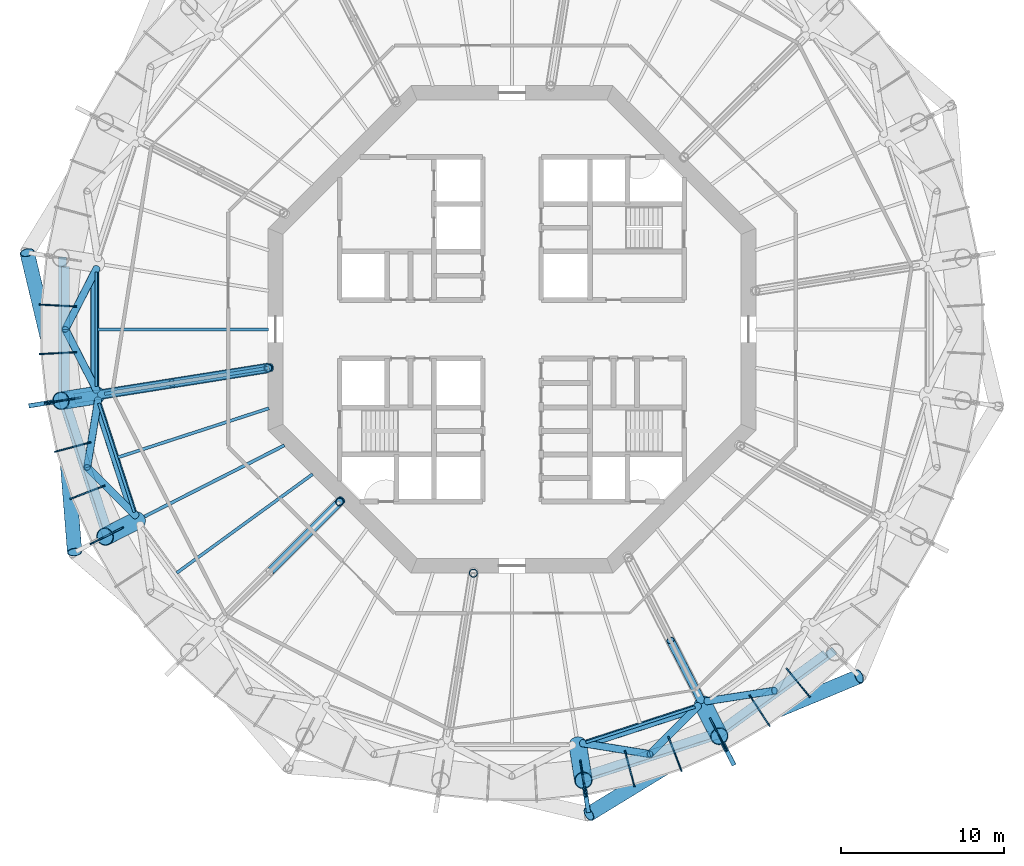
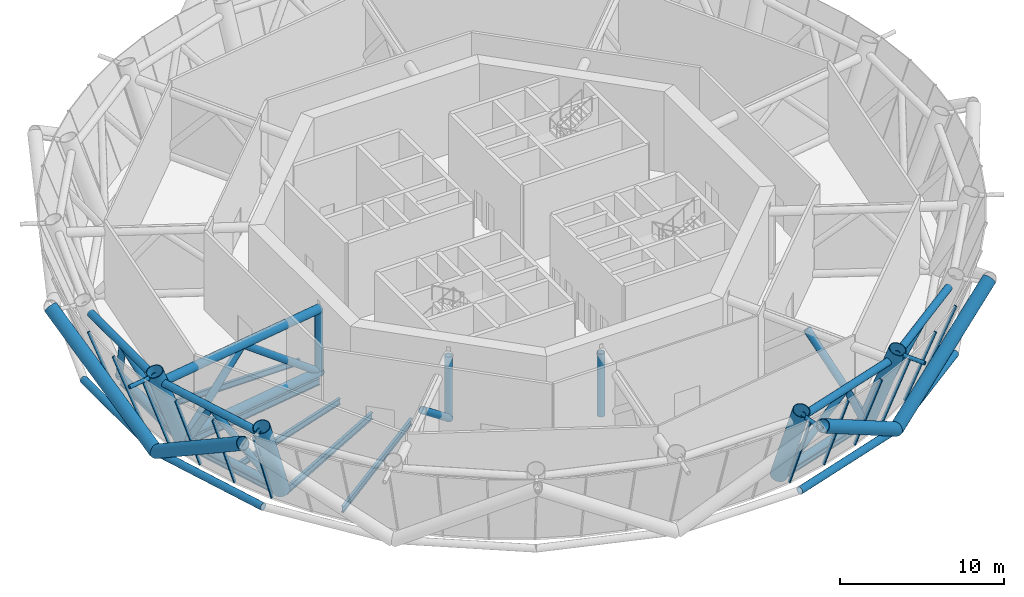
# One storey, part 2 of 15: 50 members, 8 beams, 5 elements without a shape of their own.
"""IFC4 building model written with IfcOpenShell, lengths in metres."""

from ifc_helpers import new_model, si_unit, direction, frame, origin, origin_2d, place, context, subcontext, project, spatial, rectangle, circle, hollow_circle, i_section, extrude, material, layer, layer_set, material_profile, profile_set, type_object, element, aggregate, save


model = new_model("IFC4")

# Units and contexts
model_context = context("Model", 3, precision=1e-05, world=origin(), true_north=direction((0.0, 1.0)))
body_context = subcontext(model_context, "Body", "Model", "MODEL_VIEW")
ifc_project = project(units=[si_unit("LENGTHUNIT", "METRE"), si_unit("AREAUNIT", "SQUARE_METRE"), si_unit("VOLUMEUNIT", "CUBIC_METRE"), si_unit("PLANEANGLEUNIT", "RADIAN"), si_unit("MASSUNIT", "GRAM", prefix="KILO")], contexts=[model_context])

# Site, building, storey
site_placement = place(None, origin())
site = spatial("IfcSite", under=ifc_project, at=site_placement, CompositionType="ELEMENT")
building_placement = place(site_placement, origin())
building = spatial("IfcBuilding", under=site, at=building_placement, Name="Entoto Ring Tower", CompositionType="ELEMENT")
storey_placement = place(building_placement, frame((0.0, 0.0, 268.0)))
storey = spatial("IfcBuildingStorey", under=building, at=storey_placement, Name="L61", CompositionType="ELEMENT", Elevation=268.0)

# Members
ifc_material_1 = material(Name="Steel S355", Category="steel")
ifc_material_profile_1 = material_profile(ifc_material_1, hollow_circle(Radius=0.449951171875, WallThickness=0.044921875, at=origin_2d()), Name="CHS 900 x 45")
ifc_material_2 = material(Name="Concrete C60/75", Category="concrete")
ifc_material_profile_2 = material_profile(ifc_material_2, circle(Radius=0.405029296875, at=origin_2d()), Name="Concrete C60/75 infill")
ifc_profile_set_1 = profile_set([ifc_material_profile_1, ifc_material_profile_2], Name="Steel S355")
member_type_1 = type_object("IfcMemberType", Name="Diagrid diagonal 900 x 45 concrete-filled tube", PredefinedType="BRACE", material=ifc_profile_set_1)
for number, where, z_axis, x_axis, name in (
    (1, (62.3447265625, 75.619873046875, 0.0), (-0.195432990063, 0.818886187126, 0.539658557728), (-0.972682939127, -0.232137674521, 0.0), "DG2 module 21 11"),
    (2, (62.3447265625, 75.619873046875, 0.0), (0.067171964206, -0.839199397204, 0.539659428675), (0.99681187731, 0.079787726213, 0.0), "DG2 module 21 12"),
):
    element("IfcMember", number, at=place(storey_placement, frame(where, z_axis=z_axis, x_axis=x_axis)), inside=storey, type_object=member_type_1, Name=name, PredefinedType="BRACE", context=body_context, shape_type="SweptSolid", body=[
        extrude(hollow_circle(Radius=0.449951171875, WallThickness=0.044921875, at=origin_2d()), origin(), (0.0, 0.0, 1.0), 11.1181640625),
    ])
member_1_placement = place(storey_placement, frame((102.711669921875, 55.0517578125, 0.0), z_axis=(-0.718410935775, -0.438916670262, 0.539664603179), x_axis=(0.521352941047, -0.853341145652, 0.0)))
element("IfcMember", 3, at=member_1_placement, inside=storey, type_object=member_type_1, Name="DG2 module 21 17", PredefinedType="BRACE", context=body_context, shape_type="SweptSolid", body=[
    extrude(hollow_circle(Radius=0.449951171875, WallThickness=0.044921875, at=origin_2d()), origin(), (0.0, 0.0, 1.0), 11.117919921875),
])
member_2_placement = place(storey_placement, frame((102.711669921875, 55.0517578125, 0.0), z_axis=(0.777375260078, 0.323207345717, 0.539652403584), x_axis=(-0.383907804078, 0.923371430123, 0.0)))
element("IfcMember", 4, at=member_2_placement, inside=storey, type_object=member_type_1, Name="DG2 module 21 18", PredefinedType="BRACE", context=body_context, shape_type="SweptSolid", body=[
    extrude(hollow_circle(Radius=0.449951171875, WallThickness=0.044921875, at=origin_2d()), origin(), (0.0, 0.0, 1.0), 11.1181640625),
])
ifc_material_3 = material(Name="Steel S355", Category="steel")
ifc_material_profile_3 = material_profile(ifc_material_3, hollow_circle(Radius=0.136474609375, WallThickness=0.012451171875, at=origin_2d()), Name="CHS 273 x 12.5")
ifc_material_4 = material(Name="Concrete C60/75", Category="concrete")
ifc_material_profile_4 = material_profile(ifc_material_4, circle(Radius=0.1240234375, at=origin_2d()), Name="Concrete C60/75 infill")
ifc_profile_set_2 = profile_set([ifc_material_profile_3, ifc_material_profile_4], Name="Steel S355")
member_type_2 = type_object("IfcMemberType", Name="Diagrid node strut 273 x 12.5", PredefinedType="STRUT", material=ifc_profile_set_2)
for number, where, z_axis, x_axis, name in (
    (5, (61.826171875, 75.53759765625, 5.71337890625), (-0.987693744331, -0.156400343382, 0.0), (0.156400343382, -0.987693744331, 0.0), "DS2 strut ring 21 10"),
    (6, (94.46240234375, 51.826171875, 5.71337890625), (0.156400343382, -0.987693744331, 0.0), (0.987693744331, 0.156400343382, 0.0), "DS2 strut ring 21 15"),
    (7, (102.949951171875, 54.583984375, 5.71337890625), (0.454020983541, -0.890990991259, 0.0), (0.890990991259, 0.454020983541, 0.0), "DS2 strut ring 21 16"),
):
    element("IfcMember", number, at=place(storey_placement, frame(where, z_axis=z_axis, x_axis=x_axis)), inside=storey, type_object=member_type_2, Name=name, PredefinedType="STRUT", context=body_context, shape_type="SweptSolid", body=[
        extrude(hollow_circle(Radius=0.136474609375, WallThickness=0.012451171875, at=origin_2d()), origin(), (0.0, 0.0, 1.0), 1.574951171875),
    ])
ifc_material_5 = material(Name="Steel S355", Category="steel")
ifc_material_profile_5 = material_profile(ifc_material_5, hollow_circle(Radius=0.25390625, WallThickness=0.030029296875, at=origin_2d()), Name="CHS 508 x 30")
ifc_material_6 = material(Name="Concrete C60/75", Category="concrete")
ifc_material_profile_6 = material_profile(ifc_material_6, circle(Radius=0.22412109375, at=origin_2d()), Name="Concrete C60/75 infill")
ifc_profile_set_3 = profile_set([ifc_material_profile_5, ifc_material_profile_6], Name="Steel S355")
member_type_3 = type_object("IfcMemberType", Name="Diagrid ring beam 508 x 30", PredefinedType="CHORD", material=ifc_profile_set_3)
member_3_placement = place(storey_placement, frame((62.3447265625, 84.4404296875, 0.0), z_axis=(0.0, -1.0, 0.0), x_axis=(1.0, 0.0, 0.0)))
element("IfcMember", 8, at=member_3_placement, inside=storey, type_object=member_type_3, Name="DR2 ring 20 10", PredefinedType="CHORD", context=body_context, shape_type="SweptSolid", body=[
    extrude(hollow_circle(Radius=0.25390625, WallThickness=0.030029296875, at=origin_2d()), origin(), (0.0, 0.0, 1.0), 8.880859375),
])
for number, where, z_axis, x_axis, name in (
    (9, (62.326171875, 75.677001953125, 0.0), (0.309002151976, -0.951061338755, 0.0), (0.951061338755, 0.309002151976, 0.0), "DR2 ring 20 11"),
    (10, (94.322998046875, 52.326171875, 0.0), (0.951061338755, 0.309002151976, 0.0), (-0.309002151976, 0.951061338755, 0.0), "DR2 ring 20 16"),
    (11, (102.6630859375, 55.016357421875, 0.0), (0.809012987705, 0.587790766961, 0.0), (-0.587790766961, 0.809012987705, 0.0), "DR2 ring 20 17"),
):
    element("IfcMember", number, at=place(storey_placement, frame(where, z_axis=z_axis, x_axis=x_axis)), inside=storey, type_object=member_type_3, Name=name, PredefinedType="CHORD", context=body_context, shape_type="SweptSolid", body=[
        extrude(hollow_circle(Radius=0.25390625, WallThickness=0.030029296875, at=origin_2d()), origin(), (0.0, 0.0, 1.0), 8.880615234375),
    ])

# Beams
ifc_material_7 = material(Name="Steel S355", Category="steel")
ifc_material_profile_7 = material_profile(ifc_material_7, i_section(OverallWidth=0.169921875, OverallDepth=0.360107421875, WebThickness=0.008056640625, FlangeThickness=0.0126953125, FilletRadius=0.01806640625, at=origin_2d()), Name="IPE 360")
ifc_profile_set_4 = profile_set([ifc_material_profile_7], Name="Steel S355")
beam_type_1 = type_object("IfcBeamType", Name="Edge beam IPE 360", PredefinedType="SPANDREL", material=ifc_profile_set_4)
beam_1_placement = place(storey_placement, frame((64.4189453125, 83.5283203125, -0.330078125), z_axis=(0.0, -1.0, 0.0), x_axis=(1.0, 0.0, 0.0)))
element("IfcBeam", 12, at=beam_1_placement, inside=storey, type_object=beam_type_1, Name="Edge beam L61 10", PredefinedType="SPANDREL", context=body_context, shape_type="SweptSolid", body=[
    extrude(i_section(OverallWidth=0.169921875, OverallDepth=0.360107421875, WebThickness=0.008056640625, FlangeThickness=0.0126953125, FilletRadius=0.01806640625, at=origin_2d()), origin(), (0.0, 0.0, 1.0), 7.056640625),
])
for number, where, z_axis, x_axis, name in (
    (13, (64.58056640625, 75.45068359375, -0.330078125), (0.309015666013, -0.951056947905, 0.0), (0.951056947905, 0.309015666013, 0.0), "Edge beam L61 11"),
    (14, (94.54931640625, 54.58056640625, -0.330078125), (0.951056947905, 0.309015666013, 0.0), (-0.309015666013, 0.951056947905, 0.0), "Edge beam L61 16"),
):
    element("IfcBeam", number, at=place(storey_placement, frame(where, z_axis=z_axis, x_axis=x_axis)), inside=storey, type_object=beam_type_1, Name=name, PredefinedType="SPANDREL", context=body_context, shape_type="SweptSolid", body=[
        extrude(i_section(OverallWidth=0.169921875, OverallDepth=0.360107421875, WebThickness=0.008056640625, FlangeThickness=0.0126953125, FilletRadius=0.01806640625, at=origin_2d()), origin(), (0.0, 0.0, 1.0), 7.056884765625),
    ])

# Curtain wall, members
ifc_material_8 = material(Name="Anodised aluminium", Category="aluminium")
ifc_layer = layer(ifc_material_8, 0.10009765625)
ifc_layer_set = layer_set([ifc_layer], Name="Anodised aluminium")
curtain_wall_type = type_object("IfcCurtainWallType", Name="Louvre curtain wall system CW7", PredefinedType="NOTDEFINED", material=ifc_layer_set)
curtain_wall_1_placement = place(storey_placement, origin())
curtain_wall_1 = element("IfcCurtainWall", 15, at=curtain_wall_1_placement, inside=storey, type_object=curtain_wall_type, Name="CW7 L61-10", PredefinedType="NOTDEFINED")
ifc_material_9 = material(Name="Anodised aluminium", Category="aluminium")
ifc_material_profile_8 = material_profile(ifc_material_9, rectangle(XDim=0.080078125, YDim=0.199951171875, at=origin_2d()), Name="Mullion 80 x 200 mm anodised aluminium")
ifc_profile_set_5 = profile_set([ifc_material_profile_8], Name="Anodised aluminium")
member_type_4 = type_object("IfcMemberType", Name="Mullion 80 x 200 mm anodised aluminium", PredefinedType="MULLION", material=ifc_profile_set_5)
member_4_placement = place(storey_placement, frame((63.11767578125, 81.408935546875, 0.034423828125), z_axis=(-0.343756132372, 0.018000609469, 0.938886414597), x_axis=(-0.052292829812, -0.998631793981, 0.0)))
member_4 = element("IfcMember", 16, at=member_4_placement, type_object=member_type_4, Name="MULLION L61-28", PredefinedType="MULLION", context=body_context, shape_type="SweptSolid", body=[
    extrude(rectangle(XDim=0.080078125, YDim=0.199951171875, at=origin_2d()), origin(), (0.0, 0.0, 1.0), 6.157470703125),
])
member_5_placement = place(storey_placement, frame((63.11767578125, 78.591064453125, 0.034423828125), z_axis=(-0.343756132372, -0.018000609469, 0.938886414597), x_axis=(0.052292829812, -0.998631793981, 0.0)))
member_5 = element("IfcMember", 17, at=member_5_placement, type_object=member_type_4, Name="MULLION L61-29", PredefinedType="MULLION", context=body_context, shape_type="SweptSolid", body=[
    extrude(rectangle(XDim=0.080078125, YDim=0.199951171875, at=origin_2d()), origin(), (0.0, 0.0, 1.0), 6.157470703125),
])
aggregate(curtain_wall_1, [member_4, member_5])

curtain_wall_2_placement = place(storey_placement, origin())
curtain_wall_2 = element("IfcCurtainWall", 18, at=curtain_wall_2_placement, inside=storey, type_object=curtain_wall_type, Name="CW7 L61-11", PredefinedType="NOTDEFINED")
member_6_placement = place(storey_placement, frame((63.412353515625, 75.788818359375, 0.034423828125), z_axis=(-0.340024610762, -0.05384251649, 0.938873925239), x_axis=(0.156400202324, -0.987693766667, 0.0)))
member_6 = element("IfcMember", 19, at=member_6_placement, type_object=member_type_4, Name="MULLION L61-30", PredefinedType="MULLION", context=body_context, shape_type="SweptSolid", body=[
    extrude(rectangle(XDim=0.080078125, YDim=0.199951171875, at=origin_2d()), origin(), (0.0, 0.0, 1.0), 6.15771484375),
])
member_7_placement = place(storey_placement, frame((63.998046875, 73.03271484375, 0.034423828125), z_axis=(-0.332496103447, -0.089091192994, 0.938887160698), x_axis=(0.258816688586, -0.965926457713, 0.0)))
member_7 = element("IfcMember", 20, at=member_7_placement, type_object=member_type_4, Name="MULLION L61-31", PredefinedType="MULLION", context=body_context, shape_type="SweptSolid", body=[
    extrude(rectangle(XDim=0.080078125, YDim=0.199951171875, at=origin_2d()), origin(), (0.0, 0.0, 1.0), 6.157470703125),
])
member_8_placement = place(storey_placement, frame((64.868896484375, 70.35302734375, 0.034423828125), z_axis=(-0.321391478901, -0.123346766699, 0.938878635626), x_axis=(0.358307531587, -0.933603616536, 0.0)))
member_8 = element("IfcMember", 21, at=member_8_placement, type_object=member_type_4, Name="MULLION L61-32", PredefinedType="MULLION", context=body_context, shape_type="SweptSolid", body=[
    extrude(rectangle(XDim=0.080078125, YDim=0.199951171875, at=origin_2d()), origin(), (0.0, 0.0, 1.0), 6.15771484375),
])
aggregate(curtain_wall_2, [member_6, member_7, member_8])

# Curtain wall, member
curtain_wall_3_placement = place(storey_placement, origin())
curtain_wall_3 = element("IfcCurtainWall", 22, at=curtain_wall_3_placement, inside=storey, type_object=curtain_wall_type, Name="CW7 L61-12", PredefinedType="NOTDEFINED")
member_9_placement = place(storey_placement, frame((66.014892578125, 67.779052734375, 0.034423828125), z_axis=(-0.306721620039, -0.156294806902, 0.938879002394), x_axis=(0.454018947449, -0.890992028784, 0.0)))
member_9 = element("IfcMember", 23, at=member_9_placement, type_object=member_type_4, Name="MULLION L61-33", PredefinedType="MULLION", context=body_context, shape_type="SweptSolid", body=[
    extrude(rectangle(XDim=0.080078125, YDim=0.199951171875, at=origin_2d()), origin(), (0.0, 0.0, 1.0), 6.15771484375),
])
aggregate(curtain_wall_3, [member_9])

# Curtain wall, members
curtain_wall_4_placement = place(storey_placement, origin())
curtain_wall_4 = element("IfcCurtainWall", 24, at=curtain_wall_4_placement, inside=storey, type_object=curtain_wall_type, Name="CW7 L61-16", PredefinedType="NOTDEFINED")
member_10_placement = place(storey_placement, frame((94.211181640625, 53.412353515625, 0.034423828125), z_axis=(0.05384251649, -0.340024610762, 0.938873925239), x_axis=(0.987693766667, 0.156400202324, 0.0)))
member_10 = element("IfcMember", 25, at=member_10_placement, type_object=member_type_4, Name="MULLION L61-45", PredefinedType="MULLION", context=body_context, shape_type="SweptSolid", body=[
    extrude(rectangle(XDim=0.080078125, YDim=0.199951171875, at=origin_2d()), origin(), (0.0, 0.0, 1.0), 6.15771484375),
])
member_11_placement = place(storey_placement, frame((96.96728515625, 53.998046875, 0.034423828125), z_axis=(0.089091192994, -0.332496103447, 0.938887160698), x_axis=(0.965926457713, 0.258816688586, 0.0)))
member_11 = element("IfcMember", 26, at=member_11_placement, type_object=member_type_4, Name="MULLION L61-46", PredefinedType="MULLION", context=body_context, shape_type="SweptSolid", body=[
    extrude(rectangle(XDim=0.080078125, YDim=0.199951171875, at=origin_2d()), origin(), (0.0, 0.0, 1.0), 6.157470703125),
])
member_12_placement = place(storey_placement, frame((99.64697265625, 54.868896484375, 0.034423828125), z_axis=(0.123346766699, -0.321391478901, 0.938878635626), x_axis=(0.933603616536, 0.358307531587, 0.0)))
member_12 = element("IfcMember", 27, at=member_12_placement, type_object=member_type_4, Name="MULLION L61-47", PredefinedType="MULLION", context=body_context, shape_type="SweptSolid", body=[
    extrude(rectangle(XDim=0.080078125, YDim=0.199951171875, at=origin_2d()), origin(), (0.0, 0.0, 1.0), 6.15771484375),
])
aggregate(curtain_wall_4, [member_10, member_11, member_12])

curtain_wall_5_placement = place(storey_placement, origin())
curtain_wall_5 = element("IfcCurtainWall", 28, at=curtain_wall_5_placement, inside=storey, type_object=curtain_wall_type, Name="CW7 L61-17", PredefinedType="NOTDEFINED")
member_13_placement = place(storey_placement, frame((102.220947265625, 56.014892578125, 0.034423828125), z_axis=(0.156294806902, -0.306721620039, 0.938879002394), x_axis=(0.890992028784, 0.454018947449, 0.0)))
member_13 = element("IfcMember", 29, at=member_13_placement, type_object=member_type_4, Name="MULLION L61-48", PredefinedType="MULLION", context=body_context, shape_type="SweptSolid", body=[
    extrude(rectangle(XDim=0.080078125, YDim=0.199951171875, at=origin_2d()), origin(), (0.0, 0.0, 1.0), 6.15771484375),
])
member_14_placement = place(storey_placement, frame((104.6611328125, 57.423828125, 0.034423828125), z_axis=(0.187497389991, -0.288719812628, 0.938874644744), x_axis=(0.838669836379, 0.544640161527, 0.0)))
member_14 = element("IfcMember", 30, at=member_14_placement, type_object=member_type_4, Name="MULLION L61-49", PredefinedType="MULLION", context=body_context, shape_type="SweptSolid", body=[
    extrude(rectangle(XDim=0.080078125, YDim=0.199951171875, at=origin_2d()), origin(), (0.0, 0.0, 1.0), 6.15771484375),
])
member_15_placement = place(storey_placement, frame((106.940673828125, 59.079833984375, 0.034423828125), z_axis=(0.216641306561, -0.267510778801, 0.938884725361), x_axis=(0.777124153348, 0.629347320868, 0.0)))
member_15 = element("IfcMember", 31, at=member_15_placement, type_object=member_type_4, Name="MULLION L61-50", PredefinedType="MULLION", context=body_context, shape_type="SweptSolid", body=[
    extrude(rectangle(XDim=0.080078125, YDim=0.199951171875, at=origin_2d()), origin(), (0.0, 0.0, 1.0), 6.157470703125),
])
aggregate(curtain_wall_5, [member_13, member_14, member_15])

# Members
ifc_material_10 = material(Name="Steel S355", Category="steel")
ifc_material_profile_9 = material_profile(ifc_material_10, hollow_circle(Radius=0.304931640625, WallThickness=0.030029296875, at=origin_2d()), Name="CHS 610 x 30")
ifc_material_11 = material(Name="Concrete C60/75", Category="concrete")
ifc_material_profile_10 = material_profile(ifc_material_11, circle(Radius=0.27490234375, at=origin_2d()), Name="Concrete C60/75 infill")
ifc_profile_set_6 = profile_set([ifc_material_profile_9, ifc_material_profile_10], Name="Steel S355")
member_type_5 = type_object("IfcMemberType", Name="Outrigger chord 610 x 30", PredefinedType="CHORD", material=ifc_profile_set_6)
member_16_placement = place(storey_placement, frame((75.0673828125, 77.635009765625, 0.304931640625), z_axis=(-0.987685948615, -0.156449566663, 0.0), x_axis=(0.156449566663, -0.987685948615, 0.0)))
element("IfcMember", 32, at=member_16_placement, inside=storey, type_object=member_type_5, Name="OR1B L61 bottom 06", PredefinedType="CHORD", context=body_context, shape_type="SweptSolid", body=[
    extrude(hollow_circle(Radius=0.304931640625, WallThickness=0.030029296875, at=origin_2d()), origin(), (0.0, 0.0, 1.0), 10.42578125),
])
member_17_placement = place(storey_placement, frame((75.0673828125, 77.635009765625, 4.9951171875), z_axis=(-0.987685916285, -0.156449770763, 0.0), x_axis=(0.156449770763, -0.987685916285, 0.0)))
element("IfcMember", 33, at=member_17_placement, inside=storey, type_object=member_type_5, Name="OR1B L61 top 06", PredefinedType="CHORD", context=body_context, shape_type="SweptSolid", body=[
    extrude(hollow_circle(Radius=0.304931640625, WallThickness=0.030029296875, at=origin_2d()), origin(), (0.0, 0.0, 1.0), 12.1455078125),
])
ifc_material_12 = material(Name="Steel S355", Category="steel")
ifc_material_profile_11 = material_profile(ifc_material_12, hollow_circle(Radius=0.25390625, WallThickness=0.030029296875, at=origin_2d()), Name="CHS 508 x 30")
ifc_material_13 = material(Name="Concrete C60/75", Category="concrete")
ifc_material_profile_12 = material_profile(ifc_material_13, circle(Radius=0.22412109375, at=origin_2d()), Name="Concrete C60/75 infill")
ifc_profile_set_7 = profile_set([ifc_material_profile_11, ifc_material_profile_12], Name="Steel S355")
member_type_6 = type_object("IfcMemberType", Name="Outrigger diagonal 508 x 30", PredefinedType="BRACE", material=ifc_profile_set_7)
member_18_placement = place(storey_placement, frame((75.175048828125, 77.65185546875, 0.166259765625), z_axis=(-0.778011293546, -0.123216008538, 0.616048896075), x_axis=(0.156423474185, -0.987690081313, 0.0)))
element("IfcMember", 34, at=member_18_placement, inside=storey, type_object=member_type_6, Name="OR2B L61 06 1", PredefinedType="BRACE", context=body_context, shape_type="SweptSolid", body=[
    extrude(hollow_circle(Radius=0.25390625, WallThickness=0.030029296875, at=origin_2d()), origin(), (0.0, 0.0, 1.0), 7.83837890625),
])
member_19_placement = place(storey_placement, frame((69.07666015625, 76.68603515625, 4.9951171875), z_axis=(-0.665590911543, -0.1054207135, -0.738833683339), x_axis=(0.156436592292, -0.987688003669, 0.0)))
element("IfcMember", 35, at=member_19_placement, inside=storey, type_object=member_type_6, Name="OR2B L61 06 2", PredefinedType="BRACE", context=body_context, shape_type="SweptSolid", body=[
    extrude(hollow_circle(Radius=0.25390625, WallThickness=0.030029296875, at=origin_2d()), origin(), (0.0, 0.0, 1.0), 6.59326171875),
])
member_20_placement = place(storey_placement, frame((79.51416015625, 69.51416015625, 0.173583984375), z_axis=(-0.560250975636, -0.560250975636, 0.610112849068), x_axis=(0.707106781187, -0.707106781187, 0.0)))
element("IfcMember", 36, at=member_20_placement, inside=storey, type_object=member_type_6, Name="OR2B L61 07 1", PredefinedType="BRACE", context=body_context, shape_type="SweptSolid", body=[
    extrude(hollow_circle(Radius=0.25390625, WallThickness=0.030029296875, at=origin_2d()), origin(), (0.0, 0.0, 1.0), 7.902587890625),
])
member_21_placement = place(storey_placement, frame((99.750244140625, 60.864013671875, 4.9951171875), z_axis=(0.293961232507, -0.576929349565, -0.762062542967), x_axis=(0.891005870515, 0.453991782643, 0.0)))
element("IfcMember", 37, at=member_21_placement, inside=storey, type_object=member_type_6, Name="OR2B L61 09 2", PredefinedType="BRACE", context=body_context, shape_type="SweptSolid", body=[
    extrude(hollow_circle(Radius=0.25390625, WallThickness=0.030029296875, at=origin_2d()), origin(), (0.0, 0.0, 1.0), 6.418212890625),
])
ifc_material_14 = material(Name="Steel S355", Category="steel")
ifc_material_profile_13 = material_profile(ifc_material_14, hollow_circle(Radius=0.25390625, WallThickness=0.030029296875, at=origin_2d()), Name="CHS 508 x 30")
ifc_material_15 = material(Name="Concrete C60/75", Category="concrete")
ifc_material_profile_14 = material_profile(ifc_material_15, circle(Radius=0.22412109375, at=origin_2d()), Name="Concrete C60/75 infill")
ifc_profile_set_8 = profile_set([ifc_material_profile_13, ifc_material_profile_14], Name="Steel S355")
member_type_7 = type_object("IfcMemberType", Name="Outrigger post 508 x 30", PredefinedType="POST", material=ifc_profile_set_8)
for number, where, z_axis, x_axis, name in (
    (38, (75.0, 77.624267578125, 0.304931640625), (0.0, 0.0, 1.0), (1.0, 0.0, 0.0), "OR3 L61 06"),
    (39, (79.393310546875, 69.393310546875, 0.304931640625), (0.0, 0.0, 1.0), (1.0, 0.0, 0.0), "OR3 L61 07"),
    (40, (87.624267578125, 65.0, 0.304931640625), (0.0, 0.0, 1.0), (1.0, 0.0, 0.0), "OR3 L61 08"),
):
    element("IfcMember", number, at=place(storey_placement, frame(where, z_axis=z_axis, x_axis=x_axis)), inside=storey, type_object=member_type_7, Name=name, PredefinedType="POST", context=body_context, shape_type="SweptSolid", body=[
        extrude(hollow_circle(Radius=0.25390625, WallThickness=0.030029296875, at=origin_2d()), origin(), (0.0, 0.0, 1.0), 4.690185546875),
    ])

# Beams
ifc_material_16 = material(Name="Steel S355", Category="steel")
ifc_material_profile_15 = material_profile(ifc_material_16, i_section(OverallWidth=0.199951171875, OverallDepth=0.5, WebThickness=0.01025390625, FlangeThickness=0.01611328125, FilletRadius=0.02099609375, at=origin_2d()), Name="IPE 500")
ifc_profile_set_9 = profile_set([ifc_material_profile_15], Name="Steel S355")
beam_type_2 = type_object("IfcBeamType", Name="Primary floor beam IPE 500", PredefinedType="BEAM", material=ifc_profile_set_9)
beam_2_placement = place(storey_placement, frame((75.035400390625, 77.6298828125, -0.39990234375), z_axis=(-0.987687565202, -0.156439360602, 0.0), x_axis=(0.156439360602, -0.987687565202, 0.0)))
element("IfcBeam", 41, at=beam_2_placement, inside=storey, type_object=beam_type_2, Name="Primary L61 R11", PredefinedType="BEAM", context=body_context, shape_type="SweptSolid", body=[
    extrude(i_section(OverallWidth=0.199951171875, OverallDepth=0.5, WebThickness=0.01025390625, FlangeThickness=0.01611328125, FilletRadius=0.02099609375, at=origin_2d()), origin(), (0.0, 0.0, 1.0), 10.228271484375),
])
beam_3_placement = place(storey_placement, frame((75.993896484375, 72.863525390625, -0.39990234375), z_axis=(-0.891004583726, -0.453994308092, 0.0), x_axis=(0.453994308092, -0.891004583726, 0.0)))
element("IfcBeam", 42, at=beam_3_placement, inside=storey, type_object=beam_type_2, Name="Primary L61 R12", PredefinedType="BEAM", context=body_context, shape_type="SweptSolid", body=[
    extrude(i_section(OverallWidth=0.199951171875, OverallDepth=0.5, WebThickness=0.01025390625, FlangeThickness=0.01611328125, FilletRadius=0.02099609375, at=origin_2d()), origin(), (0.0, 0.0, 1.0), 9.659912109375),
])

# Members
ifc_material_17 = material(Name="Steel S355", Category="steel")
ifc_material_profile_16 = material_profile(ifc_material_17, hollow_circle(Radius=0.550048828125, WallThickness=0.044921875, at=origin_2d()), Name="CHS 1100 x 45")
ifc_material_18 = material(Name="Concrete C60/75", Category="concrete")
ifc_material_profile_17 = material_profile(ifc_material_18, circle(Radius=0.5048828125, at=origin_2d()), Name="Concrete C60/75 infill")
ifc_profile_set_10 = profile_set([ifc_material_profile_16, ifc_material_profile_17], Name="Steel S355")
member_type_8 = type_object("IfcMemberType", Name="Ring column jog 1100 x 45 concrete-filled tube", PredefinedType="STRUT", material=ifc_profile_set_10)
for number, where, z_axis, x_axis, name in (
    (43, (64.4189453125, 75.9482421875, 0.0), (-0.340041863298, -0.053827545825, 0.938868535267), (0.156350040137, -0.987701708488, 0.0), "RJ4B R11"),
    (44, (66.9228515625, 68.24169921875, 0.0), (-0.306731822092, -0.156288439927, 0.938876729322), (0.453992276384, -0.891005618941, 0.0), "RJ4B R12"),
    (45, (94.0517578125, 54.4189453125, 0.0), (0.053827545825, -0.340041863298, 0.938868535267), (0.987701708488, 0.156350040137, 0.0), "RJ4B R16"),
    (46, (101.75830078125, 56.9228515625, 0.0), (0.156288439927, -0.306731822092, 0.938876729322), (0.891005618941, 0.453992276384, 0.0), "RJ4B R17"),
):
    element("IfcMember", number, at=place(storey_placement, frame(where, z_axis=z_axis, x_axis=x_axis)), inside=storey, type_object=member_type_8, Name=name, PredefinedType="STRUT", context=body_context, shape_type="SweptSolid", body=[
        extrude(hollow_circle(Radius=0.550048828125, WallThickness=0.044921875, at=origin_2d()), origin(), (0.0, 0.0, 1.0), 6.390625),
    ])
ifc_material_19 = material(Name="Steel S355", Category="steel")
ifc_material_profile_18 = material_profile(ifc_material_19, hollow_circle(Radius=0.25390625, WallThickness=0.030029296875, at=origin_2d()), Name="CHS 508 x 30")
ifc_material_20 = material(Name="Concrete C60/75", Category="concrete")
ifc_material_profile_19 = material_profile(ifc_material_20, circle(Radius=0.22412109375, at=origin_2d()), Name="Concrete C60/75 infill")
ifc_profile_set_11 = profile_set([ifc_material_profile_18, ifc_material_profile_19], Name="Steel S355")
member_type_9 = type_object("IfcMemberType", Name="Ring truss chord 508 x 30", PredefinedType="CHORD", material=ifc_profile_set_11)
member_22_placement = place(storey_placement, frame((64.326904296875, 83.5947265625, 0.25390625), z_axis=(0.0, -1.0, 0.0), x_axis=(1.0, 0.0, 0.0)))
element("IfcMember", 47, at=member_22_placement, inside=storey, type_object=member_type_9, Name="BT1 L61 bottom 10", PredefinedType="CHORD", context=body_context, shape_type="SweptSolid", body=[
    extrude(hollow_circle(Radius=0.25390625, WallThickness=0.030029296875, at=origin_2d()), origin(), (0.0, 0.0, 1.0), 7.189453125),
])
member_23_placement = place(storey_placement, frame((62.522705078125, 83.880615234375, 5.236083984375), z_axis=(0.0, -1.0, 0.0), x_axis=(1.0, 0.0, 0.0)))
element("IfcMember", 48, at=member_23_placement, inside=storey, type_object=member_type_9, Name="BT1 L61 top 10", PredefinedType="CHORD", context=body_context, shape_type="SweptSolid", body=[
    extrude(hollow_circle(Radius=0.25390625, WallThickness=0.030029296875, at=origin_2d()), origin(), (0.0, 0.0, 1.0), 7.76123046875),
])
member_24_placement = place(storey_placement, frame((64.47265625, 75.4853515625, 0.25390625), z_axis=(0.309016197858, -0.951056775099, 0.0), x_axis=(0.951056775099, 0.309016197858, 0.0)))
element("IfcMember", 49, at=member_24_placement, inside=storey, type_object=member_type_9, Name="BT1 L61 bottom 11", PredefinedType="CHORD", context=body_context, shape_type="SweptSolid", body=[
    extrude(hollow_circle(Radius=0.25390625, WallThickness=0.030029296875, at=origin_2d()), origin(), (0.0, 0.0, 1.0), 7.189453125),
])
member_25_placement = place(storey_placement, frame((62.668212890625, 75.19970703125, 5.236083984375), z_axis=(0.309027746705, -0.951053022584, 0.0), x_axis=(0.951053022584, 0.309027746705, 0.0)))
element("IfcMember", 50, at=member_25_placement, inside=storey, type_object=member_type_9, Name="BT1 L61 top 11", PredefinedType="CHORD", context=body_context, shape_type="SweptSolid", body=[
    extrude(hollow_circle(Radius=0.25390625, WallThickness=0.030029296875, at=origin_2d()), origin(), (0.0, 0.0, 1.0), 7.76123046875),
])
member_26_placement = place(storey_placement, frame((94.5146484375, 54.47265625, 0.25390625), z_axis=(0.951056775099, 0.309016197858, 0.0), x_axis=(-0.309016197858, 0.951056775099, 0.0)))
element("IfcMember", 51, at=member_26_placement, inside=storey, type_object=member_type_9, Name="BT1 L61 bottom 16", PredefinedType="CHORD", context=body_context, shape_type="SweptSolid", body=[
    extrude(hollow_circle(Radius=0.25390625, WallThickness=0.030029296875, at=origin_2d()), origin(), (0.0, 0.0, 1.0), 7.189453125),
])
member_27_placement = place(storey_placement, frame((94.80029296875, 52.668212890625, 5.236083984375), z_axis=(0.951053022584, 0.309027746705, 0.0), x_axis=(-0.309027746705, 0.951053022584, 0.0)))
element("IfcMember", 52, at=member_27_placement, inside=storey, type_object=member_type_9, Name="BT1 L61 top 16", PredefinedType="CHORD", context=body_context, shape_type="SweptSolid", body=[
    extrude(hollow_circle(Radius=0.25390625, WallThickness=0.030029296875, at=origin_2d()), origin(), (0.0, 0.0, 1.0), 7.76123046875),
])
member_28_placement = place(storey_placement, frame((103.011474609375, 55.489501953125, 5.236083984375), z_axis=(0.80902029631, 0.587780707542, 0.0), x_axis=(-0.587780707542, 0.80902029631, 0.0)))
element("IfcMember", 53, at=member_28_placement, inside=storey, type_object=member_type_9, Name="BT1 L61 top 17", PredefinedType="CHORD", context=body_context, shape_type="SweptSolid", body=[
    extrude(hollow_circle(Radius=0.25390625, WallThickness=0.030029296875, at=origin_2d()), origin(), (0.0, 0.0, 1.0), 7.760986328125),
])
ifc_material_21 = material(Name="Steel S355", Category="steel")
ifc_material_profile_20 = material_profile(ifc_material_21, hollow_circle(Radius=0.228515625, WallThickness=0.02001953125, at=origin_2d()), Name="CHS 457 x 20")
ifc_material_22 = material(Name="Concrete C60/75", Category="concrete")
ifc_material_profile_21 = material_profile(ifc_material_22, circle(Radius=0.20849609375, at=origin_2d()), Name="Concrete C60/75 infill")
ifc_profile_set_12 = profile_set([ifc_material_profile_20, ifc_material_profile_21], Name="Steel S355")
member_type_10 = type_object("IfcMemberType", Name="Ring truss diagonal 457 x 20", PredefinedType="BRACE", material=ifc_profile_set_12)
for number, where, z_axis, x_axis, name in (
    (54, (64.443359375, 83.742919921875, -0.0673828125), (-0.283724856308, -0.55291544071, 0.783444140534), (0.889700824389, -0.456544020968, 0.0), "BT2 L61 10 a"),
    (55, (62.522705078125, 80.0, 5.236083984375), (0.283724856308, -0.55291544071, -0.783444140534), (0.889700824389, 0.456544020968, 0.0), "BT2 L61 10 b"),
    (56, (64.537353515625, 75.662353515625, -0.0673828125), (-0.098962341101, -0.61353766283, 0.783439845383), (0.987239943567, -0.159239736959, 0.0), "BT2 L61 11 a"),
    (57, (63.867431640625, 71.509033203125, 5.236083984375), (0.440710426835, -0.438185899021, -0.78343310983), (0.705072790299, 0.709134938062, 0.0), "BT2 L61 11 b"),
    (58, (94.337646484375, 54.537353515625, -0.0673828125), (0.61353766283, -0.098962341101, 0.783439845383), (0.159239736959, 0.987239943567, 0.0), "BT2 L61 16 a"),
    (59, (98.490966796875, 53.867431640625, 5.236083984375), (0.438185899021, 0.440710426835, -0.78343310983), (-0.709134938062, 0.705072790299, 0.0), "BT2 L61 16 b"),
    (60, (101.99365234375, 57.1240234375, -0.0673828125), (0.614106031068, 0.095462688762, 0.783428782763), (-0.153605019536, 0.988132328169, 0.0), "BT2 L61 17 a"),
):
    element("IfcMember", number, at=place(storey_placement, frame(where, z_axis=z_axis, x_axis=x_axis)), inside=storey, type_object=member_type_10, Name=name, PredefinedType="BRACE", context=body_context, shape_type="SweptSolid", body=[
        extrude(hollow_circle(Radius=0.228515625, WallThickness=0.02001953125, at=origin_2d()), origin(), (0.0, 0.0, 1.0), 6.76953125),
    ])

# Beams
ifc_material_23 = material(Name="Steel S355", Category="steel")
ifc_material_profile_22 = material_profile(ifc_material_23, i_section(OverallWidth=0.18994140625, OverallDepth=0.449951171875, WebThickness=0.009521484375, FlangeThickness=0.0146484375, FilletRadius=0.02099609375, at=origin_2d()), Name="IPE 450")
ifc_profile_set_13 = profile_set([ifc_material_profile_22], Name="Steel S355")
beam_type_3 = type_object("IfcBeamType", Name="Secondary floor beam IPE 450", PredefinedType="JOIST", material=ifc_profile_set_13)
beam_4_placement = place(storey_placement, frame((75.02001953125, 80.0, -0.375), z_axis=(-1.0, 0.0, 0.0), x_axis=(0.0, -1.0, 0.0)))
element("IfcBeam", 61, at=beam_4_placement, inside=storey, type_object=beam_type_3, Name="Secondary beam L61 10", PredefinedType="JOIST", context=body_context, shape_type="SweptSolid", body=[
    extrude(i_section(OverallWidth=0.18994140625, OverallDepth=0.449951171875, WebThickness=0.009521484375, FlangeThickness=0.0146484375, FilletRadius=0.02099609375, at=origin_2d()), origin(), (0.0, 0.0, 1.0), 10.51611328125),
])
beam_5_placement = place(storey_placement, frame((75.04833984375, 75.141845703125, -0.375), z_axis=(-0.951061045963, -0.309003053144, 0.0), x_axis=(0.309003053144, -0.951061045963, 0.0)))
element("IfcBeam", 62, at=beam_5_placement, inside=storey, type_object=beam_type_3, Name="Secondary beam L61 11", PredefinedType="JOIST", context=body_context, shape_type="SweptSolid", body=[
    extrude(i_section(OverallWidth=0.18994140625, OverallDepth=0.449951171875, WebThickness=0.009521484375, FlangeThickness=0.0146484375, FilletRadius=0.02099609375, at=origin_2d()), origin(), (0.0, 0.0, 1.0), 9.77490234375),
])
beam_6_placement = place(storey_placement, frame((77.741943359375, 71.093994140625, -0.375), z_axis=(-0.809010538485, -0.58779413796, 0.0), x_axis=(0.58779413796, -0.809010538485, 0.0)))
element("IfcBeam", 63, at=beam_6_placement, inside=storey, type_object=beam_type_3, Name="Secondary beam L61 12", PredefinedType="JOIST", context=body_context, shape_type="SweptSolid", body=[
    extrude(i_section(OverallWidth=0.18994140625, OverallDepth=0.449951171875, WebThickness=0.009521484375, FlangeThickness=0.0146484375, FilletRadius=0.02099609375, at=origin_2d()), origin(), (0.0, 0.0, 1.0), 10.34423828125),
])

save(model, "model.ifc")
